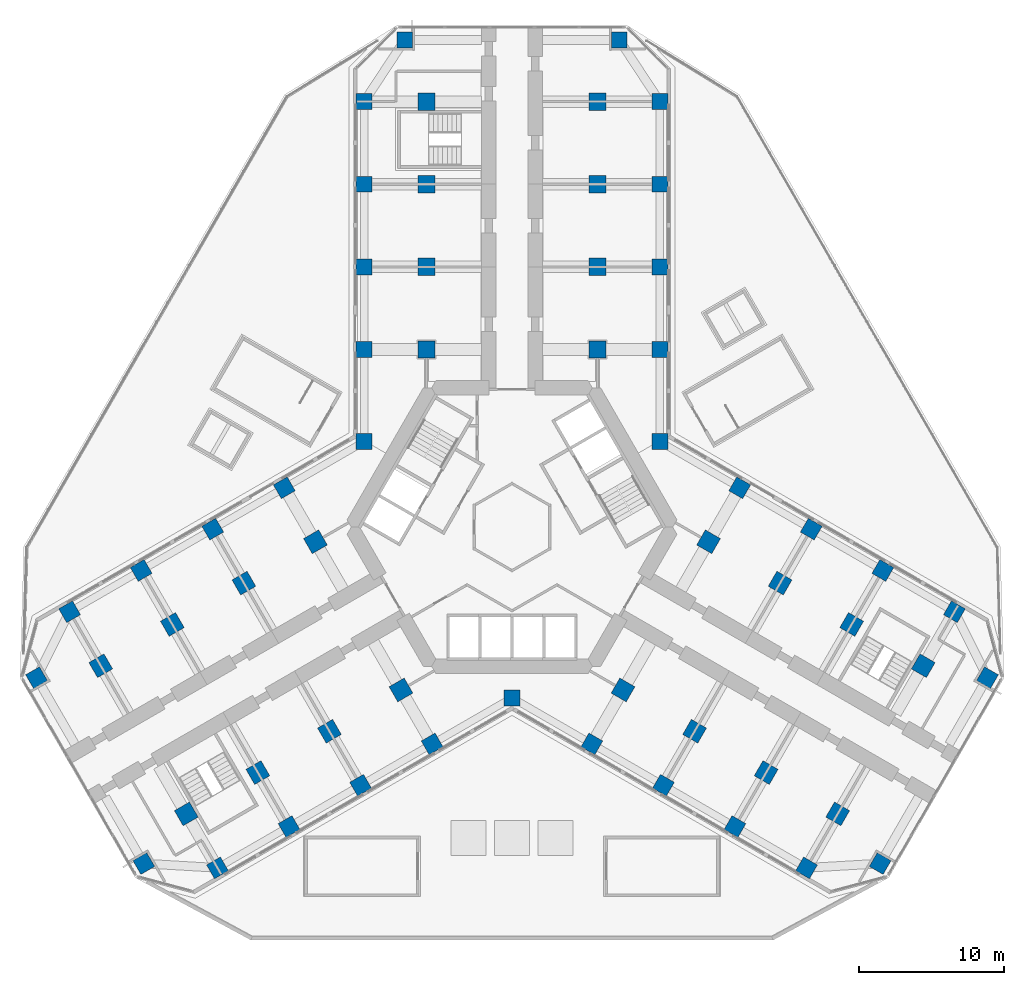
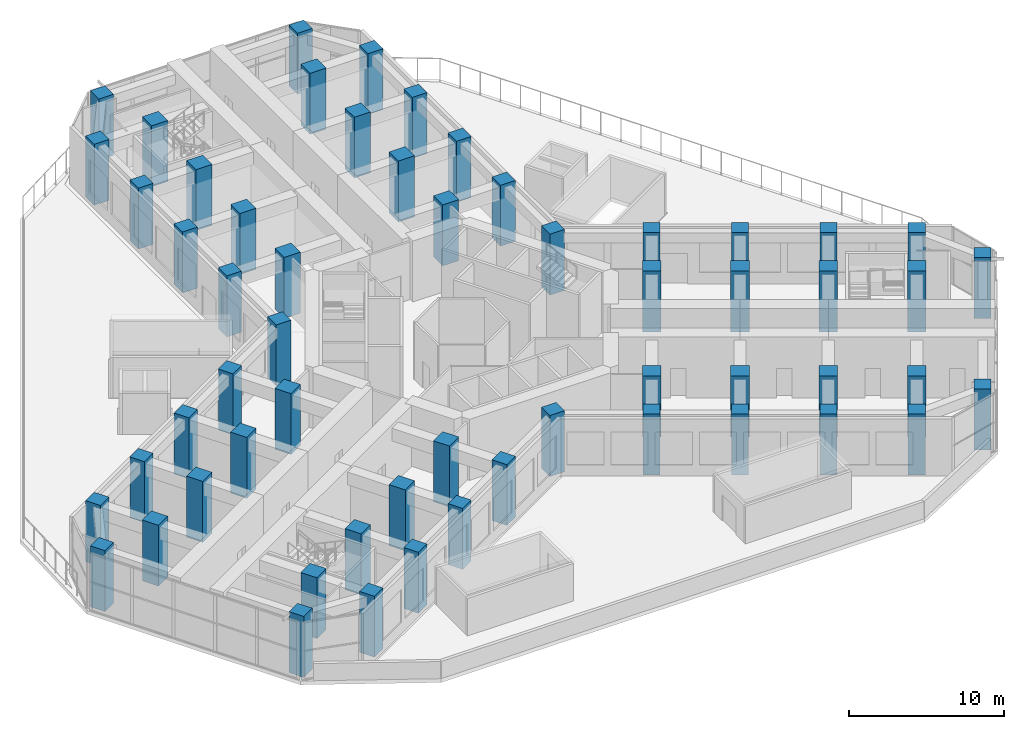
# One storey, part 1 of 18: 57 columns.
"""IFC4 building model written with IfcOpenShell, lengths in metres."""

from ifc_helpers import new_model, si_unit, direction, frame, origin, origin_2d, place, context, subcontext, project, spatial, rectangle, extrude, material, material_profile, profile_set, type_object, element, save


model = new_model("IFC4")

# Units and contexts
model_context = context("Model", 3, precision=1e-05, world=origin(), true_north=direction((0.0, 1.0)))
body_context = subcontext(model_context, "Body", "Model", "MODEL_VIEW")
ifc_project = project(units=[si_unit("LENGTHUNIT", "METRE"), si_unit("AREAUNIT", "SQUARE_METRE"), si_unit("VOLUMEUNIT", "CUBIC_METRE"), si_unit("PLANEANGLEUNIT", "RADIAN"), si_unit("MASSUNIT", "GRAM", prefix="KILO")], contexts=[model_context])

# Site, building, storey
site_placement = place(None, origin())
site = spatial("IfcSite", under=ifc_project, at=site_placement, CompositionType="ELEMENT")
building_placement = place(site_placement, origin())
building = spatial("IfcBuilding", under=site, at=building_placement, Name="Kosmar Iwan School Tower", CompositionType="ELEMENT")
storey_placement = place(building_placement, frame((0.0, 0.0, 20.39990234375)))
storey = spatial("IfcBuildingStorey", under=building, at=storey_placement, Name="L04", CompositionType="ELEMENT", Elevation=20.39990234375)

# Columns
ifc_material_1 = material(Name="Concrete C50/60", Category="concrete")
ifc_material_profile_1 = material_profile(ifc_material_1, rectangle(XDim=1.10009765625, YDim=1.10009765625, at=origin_2d()), Name="RC 1100x1100 + HD 400x744")
ifc_profile_set_1 = profile_set([ifc_material_profile_1], Name="Concrete C50/60")
column_type_1 = type_object("IfcColumnType", Name="Composite column 1100x1100 HD 400x744", PredefinedType="COLUMN", material=ifc_profile_set_1)
for number, where, z_axis, x_axis, name in (
    (1, (-10.199951171875, 12.25, 0.0), (0.0, 0.0, 1.0), (0.0, 1.0, 0.0), "Column AL1 L04"),
    (2, (-10.199951171875, 17.949951171875, 0.0), (0.0, 0.0, 1.0), (0.0, 1.0, 0.0), "Column AL2 L04"),
    (3, (-10.199951171875, 23.64990234375, 0.0), (0.0, 0.0, 1.0), (0.0, 1.0, 0.0), "Column AL3 L04"),
    (4, (-10.199951171875, 29.35009765625, 0.0), (0.0, 0.0, 1.0), (0.0, 1.0, 0.0), "Column AL4 L04"),
    (5, (-7.39990234375, 33.60009765625, 0.0), (0.0, 0.0, 1.0), (0.0, 1.0, 0.0), "Column ALTIP L04"),
    (6, (10.199951171875, 12.25, 0.0), (0.0, 0.0, 1.0), (0.0, 1.0, 0.0), "Column AR1 L04"),
    (7, (10.199951171875, 17.949951171875, 0.0), (0.0, 0.0, 1.0), (0.0, 1.0, 0.0), "Column AR2 L04"),
    (8, (10.199951171875, 23.64990234375, 0.0), (0.0, 0.0, 1.0), (0.0, 1.0, 0.0), "Column AR3 L04"),
    (9, (10.199951171875, 29.35009765625, 0.0), (0.0, 0.0, 1.0), (0.0, 1.0, 0.0), "Column AR4 L04"),
    (10, (7.39990234375, 33.60009765625, 0.0), (0.0, 0.0, 1.0), (0.0, 1.0, 0.0), "Column ARTIP L04"),
    (11, (-5.5087890625, -14.95849609375, 0.0), (0.0, 0.0, 1.0), (-0.866025403784, -0.5, 0.0), "Column BL1 L04"),
    (12, (-10.445068359375, -17.808349609375, 0.0), (0.0, 0.0, 1.0), (-0.866025403784, -0.5, 0.0), "Column BL2 L04"),
    (13, (-15.381591796875, -20.658447265625, 0.0), (0.0, 0.0, 1.0), (-0.866025403784, -0.5, 0.0), "Column BL3 L04"),
    (14, (-20.31787109375, -23.508544921875, 0.0), (0.0, 0.0, 1.0), (-0.866025403784, -0.5, 0.0), "Column BL4 L04"),
    (15, (-25.3984375, -23.20849609375, 0.0), (0.0, 0.0, 1.0), (-0.866025403784, -0.5, 0.0), "Column BLTIP L04"),
    (16, (-15.708740234375, 2.70849609375, 0.0), (0.0, 0.0, 1.0), (-0.866025403784, -0.5, 0.0), "Column BR1 L04"),
    (17, (-20.645263671875, -0.1416015625, 0.0), (0.0, 0.0, 1.0), (-0.866025403784, -0.5, 0.0), "Column BR2 L04"),
    (18, (-25.58154296875, -2.991455078125, 0.0), (0.0, 0.0, 1.0), (-0.866025403784, -0.5, 0.0), "Column BR3 L04"),
    (19, (-30.517822265625, -5.841552734375, 0.0), (0.0, 0.0, 1.0), (-0.866025403784, -0.5, 0.0), "Column BR4 L04"),
    (20, (-32.79833984375, -10.391357421875, 0.0), (0.0, 0.0, 1.0), (-0.866025403784, -0.5, 0.0), "Column BRTIP L04"),
    (21, (15.708740234375, 2.70849609375, 0.0), (0.0, 0.0, 1.0), (0.866025403784, -0.5, 0.0), "Column CL1 L04"),
    (22, (20.645263671875, -0.1416015625, 0.0), (0.0, 0.0, 1.0), (0.866025403784, -0.5, 0.0), "Column CL2 L04"),
    (23, (25.58154296875, -2.991455078125, 0.0), (0.0, 0.0, 1.0), (0.866025403784, -0.5, 0.0), "Column CL3 L04"),
    (24, (30.517822265625, -5.841552734375, 0.0), (0.0, 0.0, 1.0), (0.866025403784, -0.5, 0.0), "Column CL4 L04"),
    (25, (32.79833984375, -10.391357421875, 0.0), (0.0, 0.0, 1.0), (0.866025403784, -0.5, 0.0), "Column CLTIP L04"),
    (26, (5.5087890625, -14.95849609375, 0.0), (0.0, 0.0, 1.0), (0.866025403784, -0.5, 0.0), "Column CR1 L04"),
    (27, (10.445068359375, -17.808349609375, 0.0), (0.0, 0.0, 1.0), (0.866025403784, -0.5, 0.0), "Column CR2 L04"),
    (28, (15.381591796875, -20.658447265625, 0.0), (0.0, 0.0, 1.0), (0.866025403784, -0.5, 0.0), "Column CR3 L04"),
    (29, (20.31787109375, -23.508544921875, 0.0), (0.0, 0.0, 1.0), (0.866025403784, -0.5, 0.0), "Column CR4 L04"),
    (30, (25.3984375, -23.20849609375, 0.0), (0.0, 0.0, 1.0), (0.866025403784, -0.5, 0.0), "Column CRTIP L04"),
    (31, (-10.199951171875, 5.888916015625, 0.0), (0.0, 0.0, 1.0), (1.0, 0.0, 0.0), "Column RAB L04"),
    (32, (10.199951171875, 5.888916015625, 0.0), (0.0, 0.0, 1.0), (1.0, 0.0, 0.0), "Column RAC L04"),
    (33, (0.0, -11.77783203125, 0.0), (0.0, 0.0, 1.0), (1.0, 0.0, 0.0), "Column RBC L04"),
):
    element("IfcColumn", number, at=place(storey_placement, frame(where, z_axis=z_axis, x_axis=x_axis)), inside=storey, type_object=column_type_1, Name=name, PredefinedType="COLUMN", context=body_context, shape_type="SweptSolid", body=[
        extrude(rectangle(XDim=1.10009765625, YDim=1.10009765625, at=origin_2d()), origin(), (0.0, 0.0, 1.0), 4.800048828125),
    ])
ifc_material_2 = material(Name="Concrete C50/60", Category="concrete")
ifc_material_profile_2 = material_profile(ifc_material_2, rectangle(XDim=1.199951171875, YDim=1.199951171875, at=origin_2d()), Name="RC 1200x1200")
ifc_profile_set_2 = profile_set([ifc_material_profile_2], Name="Concrete C50/60")
column_type_2 = type_object("IfcColumnType", Name="RC interior column 1200x1200", PredefinedType="COLUMN", material=ifc_profile_set_2)
for number, where, z_axis, x_axis, name in (
    (34, (-5.89990234375, 12.25, 0.0), (0.0, 0.0, 1.0), (0.0, 1.0, 0.0), "Interior column ALI1 L04"),
    (35, (-5.89990234375, 17.949951171875, 0.0), (0.0, 0.0, 1.0), (0.0, 1.0, 0.0), "Interior column ALI2 L04"),
    (36, (-5.89990234375, 23.64990234375, 0.0), (0.0, 0.0, 1.0), (0.0, 1.0, 0.0), "Interior column ALI3 L04"),
    (37, (-5.89990234375, 29.35009765625, 0.0), (0.0, 0.0, 1.0), (0.0, 1.0, 0.0), "Interior column ALI4 L04"),
    (38, (5.89990234375, 12.25, 0.0), (0.0, 0.0, 1.0), (0.0, 1.0, 0.0), "Interior column ARI1 L04"),
    (39, (5.89990234375, 17.949951171875, 0.0), (0.0, 0.0, 1.0), (0.0, 1.0, 0.0), "Interior column ARI2 L04"),
    (40, (5.89990234375, 23.64990234375, 0.0), (0.0, 0.0, 1.0), (0.0, 1.0, 0.0), "Interior column ARI3 L04"),
    (41, (5.89990234375, 29.35009765625, 0.0), (0.0, 0.0, 1.0), (0.0, 1.0, 0.0), "Interior column ARI4 L04"),
    (42, (-7.65869140625, -11.234619140625, 0.0), (0.0, 0.0, 1.0), (-0.866025403784, -0.5, 0.0), "Interior column BLI1 L04"),
    (43, (-12.59521484375, -14.08447265625, 0.0), (0.0, 0.0, 1.0), (-0.866025403784, -0.5, 0.0), "Interior column BLI2 L04"),
    (44, (-17.531494140625, -16.9345703125, 0.0), (0.0, 0.0, 1.0), (-0.866025403784, -0.5, 0.0), "Interior column BLI3 L04"),
    (45, (-22.4677734375, -19.78466796875, 0.0), (0.0, 0.0, 1.0), (-0.866025403784, -0.5, 0.0), "Interior column BLI4 L04"),
    (46, (-13.558837890625, -1.015380859375, 0.0), (0.0, 0.0, 1.0), (-0.866025403784, -0.5, 0.0), "Interior column BRI1 L04"),
    (47, (-18.4951171875, -3.865478515625, 0.0), (0.0, 0.0, 1.0), (-0.866025403784, -0.5, 0.0), "Interior column BRI2 L04"),
    (48, (-23.431396484375, -6.71533203125, 0.0), (0.0, 0.0, 1.0), (-0.866025403784, -0.5, 0.0), "Interior column BRI3 L04"),
    (49, (-28.367919921875, -9.5654296875, 0.0), (0.0, 0.0, 1.0), (-0.866025403784, -0.5, 0.0), "Interior column BRI4 L04"),
    (50, (13.558837890625, -1.015380859375, 0.0), (0.0, 0.0, 1.0), (0.866025403784, -0.5, 0.0), "Interior column CLI1 L04"),
    (51, (18.4951171875, -3.865478515625, 0.0), (0.0, 0.0, 1.0), (0.866025403784, -0.5, 0.0), "Interior column CLI2 L04"),
    (52, (23.431396484375, -6.71533203125, 0.0), (0.0, 0.0, 1.0), (0.866025403784, -0.5, 0.0), "Interior column CLI3 L04"),
    (53, (28.367919921875, -9.5654296875, 0.0), (0.0, 0.0, 1.0), (0.866025403784, -0.5, 0.0), "Interior column CLI4 L04"),
    (54, (7.65869140625, -11.234619140625, 0.0), (0.0, 0.0, 1.0), (0.866025403784, -0.5, 0.0), "Interior column CRI1 L04"),
    (55, (12.59521484375, -14.08447265625, 0.0), (0.0, 0.0, 1.0), (0.866025403784, -0.5, 0.0), "Interior column CRI2 L04"),
    (56, (17.531494140625, -16.9345703125, 0.0), (0.0, 0.0, 1.0), (0.866025403784, -0.5, 0.0), "Interior column CRI3 L04"),
    (57, (22.4677734375, -19.78466796875, 0.0), (0.0, 0.0, 1.0), (0.866025403784, -0.5, 0.0), "Interior column CRI4 L04"),
):
    element("IfcColumn", number, at=place(storey_placement, frame(where, z_axis=z_axis, x_axis=x_axis)), inside=storey, type_object=column_type_2, Name=name, PredefinedType="COLUMN", context=body_context, shape_type="SweptSolid", body=[
        extrude(rectangle(XDim=1.199951171875, YDim=1.199951171875, at=origin_2d()), origin(), (0.0, 0.0, 1.0), 4.800048828125),
    ])

save(model, "model.ifc")
